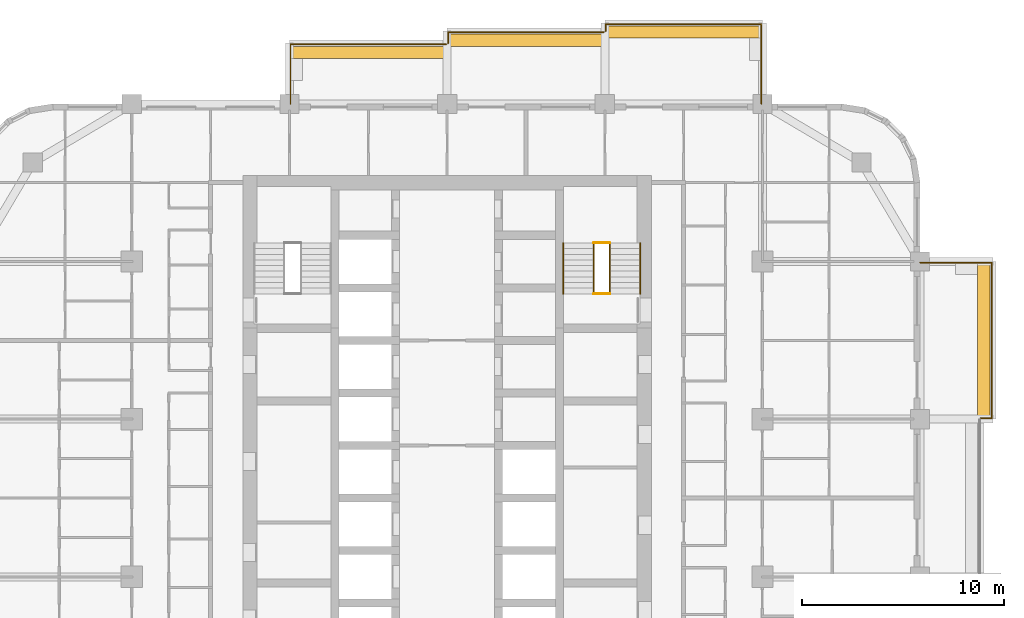
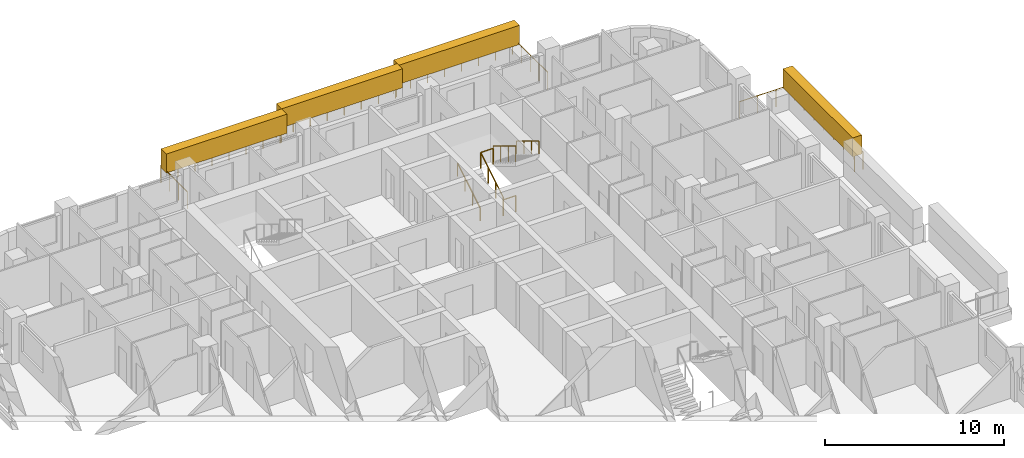
# One storey, part 17 of 17: 10 railings, 4 coverings, 1 element without a shape of its own.
"""IFC4 building model written with IfcOpenShell, lengths in metres."""

from ifc_helpers import new_model, si_unit, direction, frame, origin, origin_2d, place, context, subcontext, project, spatial, rectangle, circle, extrude, material, layer, layer_set, type_object, element, aggregate, save


model = new_model("IFC4")

# Units and contexts
model_context = context("Model", 3, precision=1e-05, world=origin(), true_north=direction((0.0, 1.0)))
body_context = subcontext(model_context, "Body", "Model", "MODEL_VIEW")
ifc_project = project(units=[si_unit("LENGTHUNIT", "METRE"), si_unit("AREAUNIT", "SQUARE_METRE"), si_unit("VOLUMEUNIT", "CUBIC_METRE"), si_unit("PLANEANGLEUNIT", "RADIAN"), si_unit("MASSUNIT", "GRAM", prefix="KILO")], contexts=[model_context])

# Site, building, storey
site_placement = place(None, origin())
site = spatial("IfcSite", under=ifc_project, at=site_placement, CompositionType="ELEMENT")
building_placement = place(site_placement, origin())
building = spatial("IfcBuilding", under=site, at=building_placement, Name="Ludao Terraces", CompositionType="ELEMENT")
storey_placement = place(building_placement, frame((0.0, 0.0, 85.199951171875)))
storey = spatial("IfcBuildingStorey", under=building, at=storey_placement, Name="L23", CompositionType="ELEMENT", Elevation=85.199951171875)

# Railings
ifc_material_1 = material(Name="Stainless steel 304", Category="steel")
railing_type_1 = type_object("IfcRailingType", Name="ENV Balcony glass guard 1200", PredefinedType="GUARDRAIL", material=ifc_material_1)
railing_1_placement = place(storey_placement, frame((111.39990234375, 72.85009765625, 0.0)))
element("IfcRailing", 1, at=railing_1_placement, inside=storey, type_object=railing_type_1, Name="Balcony guard L23 E4", PredefinedType="GUARDRAIL", context=body_context, shape_type="SweptSolid", body=[
    extrude(circle(Radius=0.02392578125, at=origin_2d()), frame((0.0, 0.0, 1.17578125), z_axis=(1.0, 0.0, 0.0), x_axis=(0.0, 1.0, 0.0)), (0.0, 0.0, 1.0), 0.550048828125),
    extrude(circle(Radius=0.02392578125, at=origin_2d()), frame((0.550048828125, 0.0, 1.17578125), z_axis=(0.0, 1.0, 0.0), x_axis=(-1.0, 0.0, 0.0)), (0.0, 0.0, 1.0), 7.699951171875),
    extrude(circle(Radius=0.02392578125, at=origin_2d()), frame((0.550048828125, 7.699951171875, 1.17578125), z_axis=(-1.0, 0.0, 0.0), x_axis=(0.0, -1.0, 0.0)), (0.0, 0.0, 1.0), 3.550048828125),
    extrude(circle(Radius=0.02099609375, at=origin_2d()), origin(), (0.0, 0.0, 1.0), 1.15185546875),
    extrude(circle(Radius=0.02099609375, at=origin_2d()), frame((0.550048828125, 0.0, 0.0)), (0.0, 0.0, 1.0), 1.15185546875),
    extrude(circle(Radius=0.02099609375, at=origin_2d()), frame((0.550048828125, 1.10009765625, 0.0)), (0.0, 0.0, 1.0), 1.15185546875),
    extrude(circle(Radius=0.02099609375, at=origin_2d()), frame((0.550048828125, 2.199951171875, 0.0)), (0.0, 0.0, 1.0), 1.15185546875),
    extrude(circle(Radius=0.02099609375, at=origin_2d()), frame((0.550048828125, 3.300048828125, 0.0)), (0.0, 0.0, 1.0), 1.15185546875),
    extrude(circle(Radius=0.02099609375, at=origin_2d()), frame((0.550048828125, 4.39990234375, 0.0)), (0.0, 0.0, 1.0), 1.15185546875),
    extrude(circle(Radius=0.02099609375, at=origin_2d()), frame((0.550048828125, 5.5, 0.0)), (0.0, 0.0, 1.0), 1.15185546875),
    extrude(circle(Radius=0.02099609375, at=origin_2d()), frame((0.550048828125, 6.599853515625, 0.0)), (0.0, 0.0, 1.0), 1.15185546875),
    extrude(circle(Radius=0.02099609375, at=origin_2d()), frame((0.550048828125, 7.699951171875, 0.0)), (0.0, 0.0, 1.0), 1.15185546875),
    extrude(circle(Radius=0.02099609375, at=origin_2d()), frame((-0.63330078125, 7.699951171875, 0.0)), (0.0, 0.0, 1.0), 1.15185546875),
    extrude(circle(Radius=0.02099609375, at=origin_2d()), frame((-1.816650390625, 7.699951171875, 0.0)), (0.0, 0.0, 1.0), 1.15185546875),
    extrude(circle(Radius=0.02099609375, at=origin_2d()), frame((-3.0, 7.699951171875, 0.0)), (0.0, 0.0, 1.0), 1.15185546875),
])
railing_2_placement = place(storey_placement, frame((77.25, 88.39990234375, 0.0)))
element("IfcRailing", 2, at=railing_2_placement, inside=storey, type_object=railing_type_1, Name="Balcony guard L23 N2", PredefinedType="GUARDRAIL", context=body_context, shape_type="SweptSolid", body=[
    extrude(circle(Radius=0.02392578125, at=origin_2d()), frame((0.0, 0.0, 1.17578125), z_axis=(0.0, 1.0, 0.0), x_axis=(-1.0, 0.0, 0.0)), (0.0, 0.0, 1.0), 2.9501953125),
    extrude(circle(Radius=0.02392578125, at=origin_2d()), frame((0.0, 2.9501953125, 1.17578125), z_axis=(1.0, 0.0, 0.0), x_axis=(0.0, 1.0, 0.0)), (0.0, 0.0, 1.0), 7.699951171875),
    extrude(circle(Radius=0.02099609375, at=origin_2d()), origin(), (0.0, 0.0, 1.0), 1.15185546875),
    extrude(circle(Radius=0.02099609375, at=origin_2d()), frame((0.0, 0.9833984375, 0.0)), (0.0, 0.0, 1.0), 1.15185546875),
    extrude(circle(Radius=0.02099609375, at=origin_2d()), frame((0.0, 1.966796875, 0.0)), (0.0, 0.0, 1.0), 1.15185546875),
    extrude(circle(Radius=0.02099609375, at=origin_2d()), frame((0.0, 2.9501953125, 0.0)), (0.0, 0.0, 1.0), 1.15185546875),
    extrude(circle(Radius=0.02099609375, at=origin_2d()), frame((1.10009765625, 2.9501953125, 0.0)), (0.0, 0.0, 1.0), 1.15185546875),
    extrude(circle(Radius=0.02099609375, at=origin_2d()), frame((2.199951171875, 2.9501953125, 0.0)), (0.0, 0.0, 1.0), 1.15185546875),
    extrude(circle(Radius=0.02099609375, at=origin_2d()), frame((3.300048828125, 2.9501953125, 0.0)), (0.0, 0.0, 1.0), 1.15185546875),
    extrude(circle(Radius=0.02099609375, at=origin_2d()), frame((4.39990234375, 2.9501953125, 0.0)), (0.0, 0.0, 1.0), 1.15185546875),
    extrude(circle(Radius=0.02099609375, at=origin_2d()), frame((5.5, 2.9501953125, 0.0)), (0.0, 0.0, 1.0), 1.15185546875),
    extrude(circle(Radius=0.02099609375, at=origin_2d()), frame((6.599853515625, 2.9501953125, 0.0)), (0.0, 0.0, 1.0), 1.15185546875),
    extrude(circle(Radius=0.02099609375, at=origin_2d()), frame((7.699951171875, 2.9501953125, 0.0)), (0.0, 0.0, 1.0), 1.15185546875),
])
railing_3_placement = place(storey_placement, frame((85.050048828125, 91.39990234375, 0.0)))
element("IfcRailing", 3, at=railing_3_placement, inside=storey, type_object=railing_type_1, Name="Balcony guard L23 N3", PredefinedType="GUARDRAIL", context=body_context, shape_type="SweptSolid", body=[
    extrude(circle(Radius=0.02392578125, at=origin_2d()), frame((0.0, 0.0, 1.17578125), z_axis=(0.0, 1.0, 0.0), x_axis=(-1.0, 0.0, 0.0)), (0.0, 0.0, 1.0), 0.550048828125),
    extrude(circle(Radius=0.02392578125, at=origin_2d()), frame((0.0, 0.550048828125, 1.17578125), z_axis=(1.0, 0.0, 0.0), x_axis=(0.0, 1.0, 0.0)), (0.0, 0.0, 1.0), 7.699951171875),
    extrude(circle(Radius=0.02099609375, at=origin_2d()), origin(), (0.0, 0.0, 1.0), 1.15185546875),
    extrude(circle(Radius=0.02099609375, at=origin_2d()), frame((0.0, 0.550048828125, 0.0)), (0.0, 0.0, 1.0), 1.15185546875),
    extrude(circle(Radius=0.02099609375, at=origin_2d()), frame((1.10009765625, 0.550048828125, 0.0)), (0.0, 0.0, 1.0), 1.15185546875),
    extrude(circle(Radius=0.02099609375, at=origin_2d()), frame((2.199951171875, 0.550048828125, 0.0)), (0.0, 0.0, 1.0), 1.15185546875),
    extrude(circle(Radius=0.02099609375, at=origin_2d()), frame((3.300048828125, 0.550048828125, 0.0)), (0.0, 0.0, 1.0), 1.15185546875),
    extrude(circle(Radius=0.02099609375, at=origin_2d()), frame((4.39990234375, 0.550048828125, 0.0)), (0.0, 0.0, 1.0), 1.15185546875),
    extrude(circle(Radius=0.02099609375, at=origin_2d()), frame((5.5, 0.550048828125, 0.0)), (0.0, 0.0, 1.0), 1.15185546875),
    extrude(circle(Radius=0.02099609375, at=origin_2d()), frame((6.599853515625, 0.550048828125, 0.0)), (0.0, 0.0, 1.0), 1.15185546875),
    extrude(circle(Radius=0.02099609375, at=origin_2d()), frame((7.699951171875, 0.550048828125, 0.0)), (0.0, 0.0, 1.0), 1.15185546875),
])
railing_4_placement = place(storey_placement, frame((92.85009765625, 92.0, 0.0)))
element("IfcRailing", 4, at=railing_4_placement, inside=storey, type_object=railing_type_1, Name="Balcony guard L23 N4", PredefinedType="GUARDRAIL", context=body_context, shape_type="SweptSolid", body=[
    extrude(circle(Radius=0.02392578125, at=origin_2d()), frame((0.0, 0.0, 1.17578125), z_axis=(0.0, 1.0, 0.0), x_axis=(-1.0, 0.0, 0.0)), (0.0, 0.0, 1.0), 0.35009765625),
    extrude(circle(Radius=0.02392578125, at=origin_2d()), frame((0.0, 0.35009765625, 1.17578125), z_axis=(1.0, 0.0, 0.0), x_axis=(0.0, 1.0, 0.0)), (0.0, 0.0, 1.0), 7.699951171875),
    extrude(circle(Radius=0.02392578125, at=origin_2d()), frame((7.699951171875, 0.35009765625, 1.17578125), z_axis=(0.0, -1.0, 0.0), x_axis=(1.0, 0.0, 0.0)), (0.0, 0.0, 1.0), 3.9501953125),
    extrude(circle(Radius=0.02099609375, at=origin_2d()), origin(), (0.0, 0.0, 1.0), 1.15185546875),
    extrude(circle(Radius=0.02099609375, at=origin_2d()), frame((0.0, 0.35009765625, 0.0)), (0.0, 0.0, 1.0), 1.15185546875),
    extrude(circle(Radius=0.02099609375, at=origin_2d()), frame((1.10009765625, 0.35009765625, 0.0)), (0.0, 0.0, 1.0), 1.15185546875),
    extrude(circle(Radius=0.02099609375, at=origin_2d()), frame((2.199951171875, 0.35009765625, 0.0)), (0.0, 0.0, 1.0), 1.15185546875),
    extrude(circle(Radius=0.02099609375, at=origin_2d()), frame((3.300048828125, 0.35009765625, 0.0)), (0.0, 0.0, 1.0), 1.15185546875),
    extrude(circle(Radius=0.02099609375, at=origin_2d()), frame((4.39990234375, 0.35009765625, 0.0)), (0.0, 0.0, 1.0), 1.15185546875),
    extrude(circle(Radius=0.02099609375, at=origin_2d()), frame((5.5, 0.35009765625, 0.0)), (0.0, 0.0, 1.0), 1.15185546875),
    extrude(circle(Radius=0.02099609375, at=origin_2d()), frame((6.599853515625, 0.35009765625, 0.0)), (0.0, 0.0, 1.0), 1.15185546875),
    extrude(circle(Radius=0.02099609375, at=origin_2d()), frame((7.699951171875, 0.35009765625, 0.0)), (0.0, 0.0, 1.0), 1.15185546875),
    extrude(circle(Radius=0.02099609375, at=origin_2d()), frame((7.699951171875, -0.637451171875, 0.0)), (0.0, 0.0, 1.0), 1.15185546875),
    extrude(circle(Radius=0.02099609375, at=origin_2d()), frame((7.699951171875, -1.625, 0.0)), (0.0, 0.0, 1.0), 1.15185546875),
    extrude(circle(Radius=0.02099609375, at=origin_2d()), frame((7.699951171875, -2.612548828125, 0.0)), (0.0, 0.0, 1.0), 1.15185546875),
    extrude(circle(Radius=0.02099609375, at=origin_2d()), frame((7.699951171875, -3.60009765625, 0.0)), (0.0, 0.0, 1.0), 1.15185546875),
])

# Coverings
ifc_material_2 = material(Name="Planting")
ifc_layer = layer(ifc_material_2, 0.60009765625)
ifc_layer_set = layer_set([ifc_layer], Name="ENV Planting hedge 600x1300")
covering_type = type_object("IfcCoveringType", Name="ENV Planting hedge 600x1300", PredefinedType="USERDEFINED", material=ifc_layer_set)
covering_placement = place(storey_placement, frame((111.550048828125, 76.699951171875, 1.10009765625), z_axis=(0.0, 0.0, 1.0), x_axis=(1.0, 0.0, 0.0)))
element("IfcCovering", 5, at=covering_placement, inside=storey, type_object=covering_type, Name="Planting hedge L23-E4", ObjectType="PLANTING", PredefinedType="USERDEFINED", context=body_context, shape_type="SweptSolid", body=[
    extrude(rectangle(XDim=0.60009765625, YDim=7.800048828125, at=origin_2d()), origin(), (0.0, 0.0, 1.0), 1.300048828125),
])
for number, where, z_axis, x_axis, name in (
    (6, (81.10009765625, 90.949951171875, 1.10009765625), (0.0, 0.0, 1.0), (1.0, 0.0, 0.0), "Planting hedge L23-N2"),
    (7, (88.89990234375, 91.550048828125, 1.10009765625), (0.0, 0.0, 1.0), (1.0, 0.0, 0.0), "Planting hedge L23-N3"),
    (8, (96.699951171875, 91.949951171875, 1.10009765625), (0.0, 0.0, 1.0), (1.0, 0.0, 0.0), "Planting hedge L23-N4"),
):
    element("IfcCovering", number, at=place(storey_placement, frame(where, z_axis=z_axis, x_axis=x_axis)), inside=storey, type_object=covering_type, Name=name, ObjectType="PLANTING", PredefinedType="USERDEFINED", context=body_context, shape_type="SweptSolid", body=[
        extrude(rectangle(XDim=7.800048828125, YDim=0.60009765625, at=origin_2d()), origin(), (0.0, 0.0, 1.0), 1.300048828125),
    ])

# Stair, railings
ifc_material_3 = material(Name="Concrete C40", Category="concrete")
stair_type = type_object("IfcStairType", Name="INT Stair", PredefinedType="HALF_TURN_STAIR", material=ifc_material_3)
stair_placement = place(storey_placement, origin())
stair = element("IfcStair", 9, at=stair_placement, inside=storey, type_object=stair_type, Name="EXIT STAIR 2", PredefinedType="HALF_TURN_STAIR")
railing_type_2 = type_object("IfcRailingType", Name="INT Stair guard 1100", PredefinedType="GUARDRAIL", material=ifc_material_1)
railing_5_placement = place(storey_placement, frame((92.25, 79.0, 0.170166015625)))
railing_5 = element("IfcRailing", 10, at=railing_5_placement, type_object=railing_type_2, Name="ST-L23-S2-R1G", PredefinedType="GUARDRAIL", context=body_context, shape_type="SweptSolid", body=[
    extrude(circle(Radius=0.02392578125, at=origin_2d()), frame((0.0, 0.0, 1.076171875), z_axis=(0.0, 0.854821627497, 0.518921945155), x_axis=(-1.0, 0.0, 0.0)), (0.0, 0.0, 1.0), 2.947998046875),
    extrude(circle(Radius=0.02099609375, at=origin_2d()), origin(), (0.0, 0.0, 1.0), 1.052001953125),
    extrude(circle(Radius=0.02099609375, at=origin_2d()), frame((0.0, 0.840087890625, 0.510009765625)), (0.0, 0.0, 1.0), 1.052001953125),
    extrude(circle(Radius=0.02099609375, at=origin_2d()), frame((0.0, 1.679931640625, 1.019775390625)), (0.0, 0.0, 1.0), 1.052001953125),
    extrude(circle(Radius=0.02099609375, at=origin_2d()), frame((0.0, 2.52001953125, 1.52978515625)), (0.0, 0.0, 1.0), 1.052001953125),
])
railing_6_placement = place(storey_placement, frame((93.050048828125, 81.52001953125, 1.8701171875)))
railing_6 = element("IfcRailing", 11, at=railing_6_placement, type_object=railing_type_2, Name="ST-L23-S2-R2G", PredefinedType="GUARDRAIL", context=body_context, shape_type="SweptSolid", body=[
    extrude(circle(Radius=0.02392578125, at=origin_2d()), frame((0.0, 0.0, 1.076171875), z_axis=(0.0, -0.85478489116, 0.518982456201), x_axis=(1.0, 0.0, 0.0)), (0.0, 0.0, 1.0), 2.9482421875),
    extrude(circle(Radius=0.02099609375, at=origin_2d()), origin(), (0.0, 0.0, 1.0), 1.052001953125),
    extrude(circle(Radius=0.02099609375, at=origin_2d()), frame((0.0, -0.840087890625, 0.510009765625)), (0.0, 0.0, 1.0), 1.052001953125),
    extrude(circle(Radius=0.02099609375, at=origin_2d()), frame((0.0, -1.679931640625, 1.02001953125)), (0.0, 0.0, 1.0), 1.052001953125),
    extrude(circle(Radius=0.02099609375, at=origin_2d()), frame((0.0, -2.52001953125, 1.530029296875)), (0.0, 0.0, 1.0), 1.052001953125),
])
railing_7_placement = place(storey_placement, frame((92.25, 81.52001953125, 1.699951171875)))
railing_7 = element("IfcRailing", 12, at=railing_7_placement, type_object=railing_type_2, Name="ST-L23-S2-E1G", PredefinedType="GUARDRAIL", context=body_context, shape_type="SweptSolid", body=[
    extrude(circle(Radius=0.02392578125, at=origin_2d()), frame((0.0, 0.0, 1.076171875), z_axis=(1.0, 0.0, 0.0), x_axis=(0.0, 1.0, 0.0)), (0.0, 0.0, 1.0), 0.800048828125),
    extrude(circle(Radius=0.02099609375, at=origin_2d()), origin(), (0.0, 0.0, 1.0), 1.052001953125),
    extrude(circle(Radius=0.02099609375, at=origin_2d()), frame((0.800048828125, 0.0, 0.0)), (0.0, 0.0, 1.0), 1.052001953125),
])
railing_8_placement = place(storey_placement, frame((92.25, 79.0, 0.0)))
railing_8 = element("IfcRailing", 13, at=railing_8_placement, type_object=railing_type_2, Name="ST-L23-S2-E2G", PredefinedType="GUARDRAIL", context=body_context, shape_type="SweptSolid", body=[
    extrude(circle(Radius=0.02392578125, at=origin_2d()), frame((0.0, 0.0, 1.076171875), z_axis=(1.0, 0.0, 0.0), x_axis=(0.0, 1.0, 0.0)), (0.0, 0.0, 1.0), 0.800048828125),
    extrude(circle(Radius=0.02099609375, at=origin_2d()), origin(), (0.0, 0.0, 1.0), 1.052001953125),
    extrude(circle(Radius=0.02099609375, at=origin_2d()), frame((0.800048828125, 0.0, 0.0)), (0.0, 0.0, 1.0), 1.052001953125),
])
railing_type_3 = type_object("IfcRailingType", Name="INT Stair handrail 900", PredefinedType="HANDRAIL", material=ifc_material_1)
railing_9_placement = place(storey_placement, frame((90.75, 79.0, 0.170166015625)))
railing_9 = element("IfcRailing", 14, at=railing_9_placement, type_object=railing_type_3, Name="ST-L23-S2-R1H", PredefinedType="HANDRAIL", context=body_context, shape_type="SweptSolid", body=[
    extrude(circle(Radius=0.02392578125, at=origin_2d()), frame((0.0, 0.0, 0.8759765625), z_axis=(0.0, 0.854821627497, 0.518921945155), x_axis=(-1.0, 0.0, 0.0)), (0.0, 0.0, 1.0), 2.947998046875),
    extrude(circle(Radius=0.02099609375, at=origin_2d()), origin(), (0.0, 0.0, 1.0), 0.851806640625),
    extrude(circle(Radius=0.02099609375, at=origin_2d()), frame((0.0, 0.840087890625, 0.510009765625)), (0.0, 0.0, 1.0), 0.851806640625),
    extrude(circle(Radius=0.02099609375, at=origin_2d()), frame((0.0, 1.679931640625, 1.019775390625)), (0.0, 0.0, 1.0), 0.851806640625),
    extrude(circle(Radius=0.02099609375, at=origin_2d()), frame((0.0, 2.52001953125, 1.52978515625)), (0.0, 0.0, 1.0), 0.851806640625),
])
railing_10_placement = place(storey_placement, frame((94.550048828125, 81.52001953125, 1.8701171875)))
railing_10 = element("IfcRailing", 15, at=railing_10_placement, type_object=railing_type_3, Name="ST-L23-S2-R2H", PredefinedType="HANDRAIL", context=body_context, shape_type="SweptSolid", body=[
    extrude(circle(Radius=0.02392578125, at=origin_2d()), frame((0.0, 0.0, 0.8759765625), z_axis=(0.0, -0.85478489116, 0.518982456201), x_axis=(1.0, 0.0, 0.0)), (0.0, 0.0, 1.0), 2.9482421875),
    extrude(circle(Radius=0.02099609375, at=origin_2d()), origin(), (0.0, 0.0, 1.0), 0.851806640625),
    extrude(circle(Radius=0.02099609375, at=origin_2d()), frame((0.0, -0.840087890625, 0.510009765625)), (0.0, 0.0, 1.0), 0.851806640625),
    extrude(circle(Radius=0.02099609375, at=origin_2d()), frame((0.0, -1.679931640625, 1.02001953125)), (0.0, 0.0, 1.0), 0.851806640625),
    extrude(circle(Radius=0.02099609375, at=origin_2d()), frame((0.0, -2.52001953125, 1.530029296875)), (0.0, 0.0, 1.0), 0.851806640625),
])
aggregate(stair, [railing_5, railing_9, railing_6, railing_10, railing_7, railing_8])

save(model, "model.ifc")
